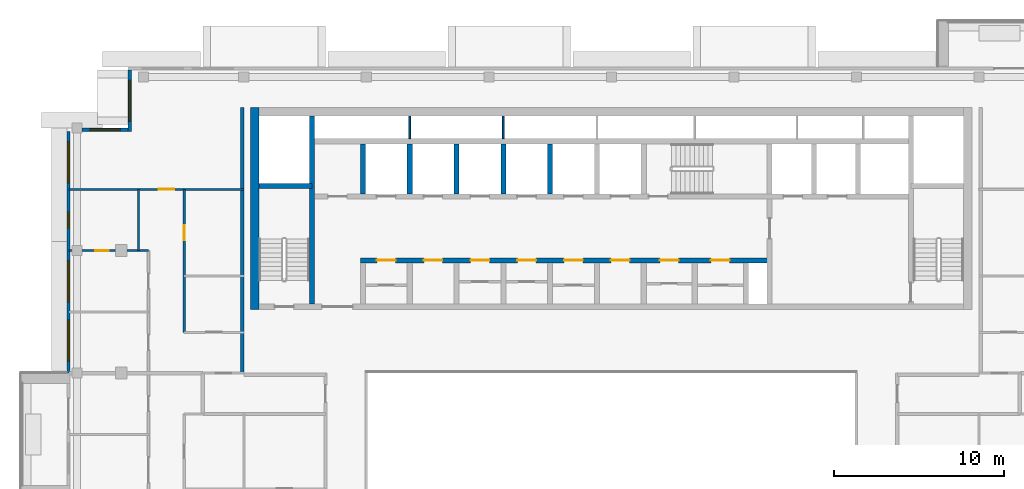
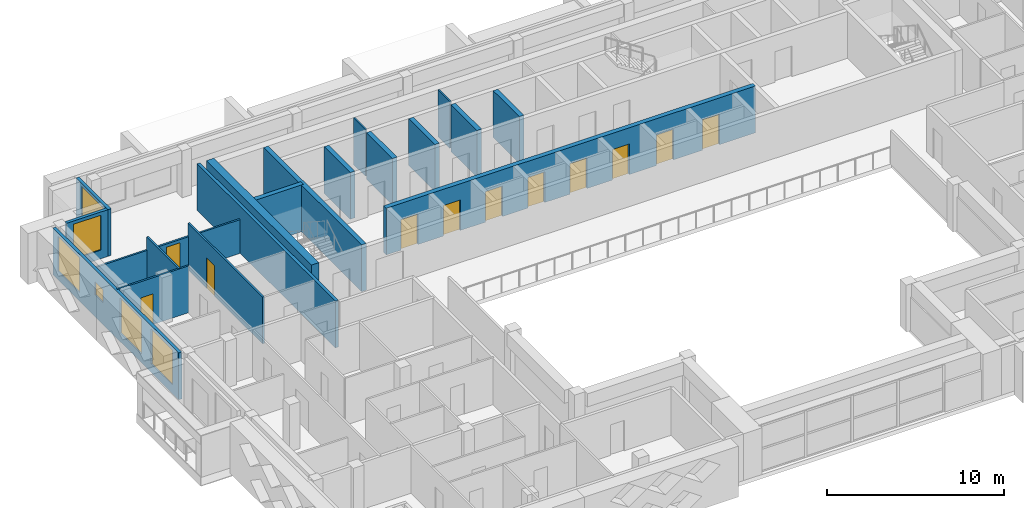
# One storey, part 10 of 19: 19 walls, 11 doors, 6 windows, 17 openings.
"""IFC4 building model written with IfcOpenShell, lengths in metres."""

from ifc_helpers import new_model, si_unit, direction, frame, frame_2d, origin, place, context, subcontext, project, spatial, rectangle, extrude, material, layer, layer_set, type_object, element, fill, save


model = new_model("IFC4")

# Units and contexts
model_context = context("Model", 3, precision=1e-05, world=origin(), true_north=direction((0.0, 1.0)))
body_context = subcontext(model_context, "Body", "Model", "MODEL_VIEW")
ifc_project = project(units=[si_unit("LENGTHUNIT", "METRE"), si_unit("AREAUNIT", "SQUARE_METRE"), si_unit("VOLUMEUNIT", "CUBIC_METRE"), si_unit("PLANEANGLEUNIT", "RADIAN"), si_unit("MASSUNIT", "GRAM", prefix="KILO")], contexts=[model_context])

# Site, building, storey
site_placement = place(None, origin())
site = spatial("IfcSite", under=ifc_project, at=site_placement, CompositionType="ELEMENT")
building_placement = place(site_placement, origin())
building = spatial("IfcBuilding", under=site, at=building_placement, Name="Saffron Iwan Residences", CompositionType="ELEMENT")
storey_placement = place(building_placement, frame((0.0, 0.0, 264.0)))
storey = spatial("IfcBuildingStorey", under=building, at=storey_placement, Name="L71", CompositionType="ELEMENT", Elevation=264.0)

# Wall, opening, window
ifc_material_1 = material(Name="Concrete C40/50", Category="concrete")
ifc_layer_1 = layer(ifc_material_1, 0.199951171875)
ifc_layer_set_1 = layer_set([ifc_layer_1], Name="Concrete C40/50")
wall_type_1 = type_object("IfcWallType", Name="EXTERNAL WALL 200", PredefinedType="SOLIDWALL", material=ifc_layer_set_1)
wall_1_placement = place(storey_placement, frame((22.10009765625, 80.199951171875, 0.0), z_axis=(0.0, 0.0, 1.0), x_axis=(0.0, -1.0, 0.0)))
wall_1 = element("IfcWall", 1, at=wall_1_placement, inside=storey, type_object=wall_type_1, Name="External wall L71 F6.0", PredefinedType="SOLIDWALL", context=body_context, shape_type="SweptSolid", body=[
    extrude(rectangle(XDim=3.599853515625, YDim=0.199951171875, at=frame_2d((1.7998046875, 0.0))), origin(), (0.0, 0.0, 1.0), 3.219970703125),
])
opening_1_placement = place(wall_1_placement, frame((0.60009765625, 0.0, 0.60009765625)))
opening_1 = element("IfcOpeningElement", 2, at=opening_1_placement, cuts=wall_1, Name="Opening W1", PredefinedType="OPENING", context=body_context, shape_type="SweptSolid", body=[
    extrude(rectangle(XDim=2.39990234375, YDim=2.39990234375, at=frame_2d((1.199951171875, 1.199951171875))), frame((0.0, 0.10986328125, 0.0), z_axis=(0.0, -1.0, 0.0), x_axis=(1.0, 0.0, 0.0)), (0.0, 0.0, 1.0), 0.219970703125),
])
ifc_material_2 = material(Name="Clear glass, laminated double glazed", Category="glass")
window_type_1 = type_object("IfcWindowType", Name="WINDOW 2400 x 2400", PartitioningType="DOUBLE_PANEL_VERTICAL", PredefinedType="WINDOW", material=ifc_material_2)
window_1_placement = place(opening_1_placement, origin())
window_1 = element("IfcWindow", 3, at=window_1_placement, inside=storey, type_object=window_type_1, Name="Window L71 F6.0", OverallHeight=2.39990234375, OverallWidth=2.39990234375, PartitioningType="DOUBLE_PANEL_VERTICAL", PredefinedType="WINDOW", context=body_context, shape_type="SweptSolid", body=[
    extrude(rectangle(XDim=2.39990234375, YDim=2.39990234375, at=frame_2d((1.199951171875, 1.199951171875))), frame((0.0, 0.030029296875, 0.0), z_axis=(0.0, -1.0, 0.0), x_axis=(1.0, 0.0, 0.0)), (0.0, 0.0, 1.0), 0.06005859375),
])
fill(opening_1, window_1)

wall_2_placement = place(storey_placement, frame((22.0, 76.699951171875, 0.0), z_axis=(0.0, 0.0, 1.0), x_axis=(-1.0, 0.0, 0.0)))
wall_2 = element("IfcWall", 4, at=wall_2_placement, inside=storey, type_object=wall_type_1, Name="External wall L71 F7.0", PredefinedType="SOLIDWALL", context=body_context, shape_type="SweptSolid", body=[
    extrude(rectangle(XDim=2.699951171875, YDim=0.199951171875, at=frame_2d((1.35009765625, 0.0))), origin(), (0.0, 0.0, 1.0), 3.219970703125),
])
opening_2_placement = place(wall_2_placement, frame((0.449951171875, 0.0, 0.60009765625)))
opening_2 = element("IfcOpeningElement", 5, at=opening_2_placement, cuts=wall_2, Name="Opening W8", PredefinedType="OPENING", context=body_context, shape_type="SweptSolid", body=[
    extrude(rectangle(XDim=1.800048828125, YDim=2.39990234375, at=frame_2d((0.89990234375, 1.199951171875))), frame((0.0, 0.10986328125, 0.0), z_axis=(0.0, -1.0, 0.0), x_axis=(1.0, 0.0, 0.0)), (0.0, 0.0, 1.0), 0.219970703125),
])
window_type_2 = type_object("IfcWindowType", Name="WINDOW 1800 x 2400", PartitioningType="DOUBLE_PANEL_VERTICAL", PredefinedType="WINDOW", material=ifc_material_2)
window_2_placement = place(opening_2_placement, origin())
window_2 = element("IfcWindow", 6, at=window_2_placement, inside=storey, type_object=window_type_2, Name="Window L71 F7.0", OverallHeight=2.39990234375, OverallWidth=1.800048828125, PartitioningType="DOUBLE_PANEL_VERTICAL", PredefinedType="WINDOW", context=body_context, shape_type="SweptSolid", body=[
    extrude(rectangle(XDim=1.800048828125, YDim=2.39990234375, at=frame_2d((0.89990234375, 1.199951171875))), frame((0.0, 0.030029296875, 0.0), z_axis=(0.0, -1.0, 0.0), x_axis=(1.0, 0.0, 0.0)), (0.0, 0.0, 1.0), 0.06005859375),
])
fill(opening_2, window_2)

# Wall, openings, windows
wall_3_placement = place(storey_placement, frame((18.5, 76.60009765625, 0.0), z_axis=(0.0, 0.0, 1.0), x_axis=(0.0, -1.0, 0.0)))
wall_3 = element("IfcWall", 7, at=wall_3_placement, inside=storey, type_object=wall_type_1, Name="External wall L71 F8.0", PredefinedType="SOLIDWALL", context=body_context, shape_type="SweptSolid", body=[
    extrude(rectangle(XDim=14.2001953125, YDim=0.199951171875, at=frame_2d((7.10009765625, 0.0))), origin(), (0.0, 0.0, 1.0), 3.219970703125),
])
opening_3_placement = place(wall_3_placement, frame((11.10009765625, 0.0, 0.60009765625)))
opening_3 = element("IfcOpeningElement", 8, at=opening_3_placement, cuts=wall_3, Name="Opening W1", PredefinedType="OPENING", context=body_context, shape_type="SweptSolid", body=[
    extrude(rectangle(XDim=2.39990234375, YDim=2.39990234375, at=frame_2d((1.199951171875, 1.199951171875))), frame((0.0, 0.10986328125, 0.0), z_axis=(0.0, -1.0, 0.0), x_axis=(1.0, 0.0, 0.0)), (0.0, 0.0, 1.0), 0.219970703125),
])
opening_4_placement = place(wall_3_placement, frame((7.60009765625, 0.0, 0.60009765625)))
opening_4 = element("IfcOpeningElement", 9, at=opening_4_placement, cuts=wall_3, Name="Opening W1", PredefinedType="OPENING", context=body_context, shape_type="SweptSolid", body=[
    extrude(rectangle(XDim=2.39990234375, YDim=2.39990234375, at=frame_2d((1.199951171875, 1.199951171875))), frame((0.0, 0.10986328125, 0.0), z_axis=(0.0, -1.0, 0.0), x_axis=(1.0, 0.0, 0.0)), (0.0, 0.0, 1.0), 0.219970703125),
])
opening_5_placement = place(wall_3_placement, frame((4.75, 0.0, 1.5)))
opening_5 = element("IfcOpeningElement", 10, at=opening_5_placement, cuts=wall_3, Name="Opening W6", PredefinedType="OPENING", context=body_context, shape_type="SweptSolid", body=[
    extrude(rectangle(XDim=0.89990234375, YDim=0.89990234375, at=frame_2d((0.449951171875, 0.449951171875))), frame((0.0, 0.10986328125, 0.0), z_axis=(0.0, -1.0, 0.0), x_axis=(1.0, 0.0, 0.0)), (0.0, 0.0, 1.0), 0.219970703125),
])
opening_6_placement = place(wall_3_placement, frame((0.60009765625, 0.0, 0.60009765625)))
opening_6 = element("IfcOpeningElement", 11, at=opening_6_placement, cuts=wall_3, Name="Opening W1", PredefinedType="OPENING", context=body_context, shape_type="SweptSolid", body=[
    extrude(rectangle(XDim=2.39990234375, YDim=2.39990234375, at=frame_2d((1.199951171875, 1.199951171875))), frame((0.0, 0.10986328125, 0.0), z_axis=(0.0, -1.0, 0.0), x_axis=(1.0, 0.0, 0.0)), (0.0, 0.0, 1.0), 0.219970703125),
])
window_3_placement = place(opening_3_placement, origin())
window_3 = element("IfcWindow", 12, at=window_3_placement, inside=storey, type_object=window_type_1, Name="Window L71 F8.0", OverallHeight=2.39990234375, OverallWidth=2.39990234375, PartitioningType="DOUBLE_PANEL_VERTICAL", PredefinedType="WINDOW", context=body_context, shape_type="SweptSolid", body=[
    extrude(rectangle(XDim=2.39990234375, YDim=2.39990234375, at=frame_2d((1.199951171875, 1.199951171875))), frame((0.0, 0.030029296875, 0.0), z_axis=(0.0, -1.0, 0.0), x_axis=(1.0, 0.0, 0.0)), (0.0, 0.0, 1.0), 0.06005859375),
])
fill(opening_3, window_3)
window_4_placement = place(opening_4_placement, origin())
window_4 = element("IfcWindow", 13, at=window_4_placement, inside=storey, type_object=window_type_1, Name="Window L71 F8.1", OverallHeight=2.39990234375, OverallWidth=2.39990234375, PartitioningType="DOUBLE_PANEL_VERTICAL", PredefinedType="WINDOW", context=body_context, shape_type="SweptSolid", body=[
    extrude(rectangle(XDim=2.39990234375, YDim=2.39990234375, at=frame_2d((1.199951171875, 1.199951171875))), frame((0.0, 0.030029296875, 0.0), z_axis=(0.0, -1.0, 0.0), x_axis=(1.0, 0.0, 0.0)), (0.0, 0.0, 1.0), 0.06005859375),
])
fill(opening_4, window_4)
window_5_placement = place(opening_6_placement, origin())
window_5 = element("IfcWindow", 14, at=window_5_placement, inside=storey, type_object=window_type_1, Name="Window L71 F8.3", OverallHeight=2.39990234375, OverallWidth=2.39990234375, PartitioningType="DOUBLE_PANEL_VERTICAL", PredefinedType="WINDOW", context=body_context, shape_type="SweptSolid", body=[
    extrude(rectangle(XDim=2.39990234375, YDim=2.39990234375, at=frame_2d((1.199951171875, 1.199951171875))), frame((0.0, 0.030029296875, 0.0), z_axis=(0.0, -1.0, 0.0), x_axis=(1.0, 0.0, 0.0)), (0.0, 0.0, 1.0), 0.06005859375),
])
fill(opening_6, window_5)
window_type_3 = type_object("IfcWindowType", Name="WINDOW 900 x 900 BATH", PartitioningType="SINGLE_PANEL", PredefinedType="WINDOW", material=ifc_material_2)
window_6_placement = place(opening_5_placement, origin())
window_6 = element("IfcWindow", 15, at=window_6_placement, inside=storey, type_object=window_type_3, Name="Window L71 F8.2", OverallHeight=0.89990234375, OverallWidth=0.89990234375, PartitioningType="SINGLE_PANEL", PredefinedType="WINDOW", context=body_context, shape_type="SweptSolid", body=[
    extrude(rectangle(XDim=0.89990234375, YDim=0.89990234375, at=frame_2d((0.449951171875, 0.449951171875))), frame((0.0, 0.030029296875, 0.0), z_axis=(0.0, -1.0, 0.0), x_axis=(1.0, 0.0, 0.0)), (0.0, 0.0, 1.0), 0.06005859375),
])
fill(opening_5, window_6)

# Wall, opening, door
ifc_material_3 = material(Name="Gypsum board partition")
ifc_layer_2 = layer(ifc_material_3, 0.1201171875)
ifc_layer_set_2 = layer_set([ifc_layer_2], Name="Gypsum board partition")
wall_type_2 = type_object("IfcWallType", Name="Flat partition 120", PredefinedType="PARTITIONING", material=ifc_layer_set_2)
wall_4_placement = place(storey_placement, frame((18.52490234375, 69.60009765625, 0.0), z_axis=(0.0, 0.0, 1.0), x_axis=(1.0, 0.0, 0.0)))
wall_4 = element("IfcWall", 16, at=wall_4_placement, inside=storey, type_object=wall_type_2, Name="W-L71-PART-h69.6-18.525", PredefinedType="PARTITIONING", context=body_context, shape_type="SweptSolid", body=[
    extrude(rectangle(XDim=4.675048828125, YDim=0.1201171875, at=frame_2d((2.33740234375, 0.0))), origin(), (0.0, 0.0, 1.0), 3.219970703125),
])
opening_7_placement = place(wall_4_placement, frame((1.53759765625, 0.0, 0.0)))
opening_7 = element("IfcOpeningElement", 17, at=opening_7_placement, cuts=wall_4, Name="Opening FD3", PredefinedType="OPENING", context=body_context, shape_type="SweptSolid", body=[
    extrude(rectangle(XDim=0.800048828125, YDim=2.10009765625, at=frame_2d((0.39990234375, 1.050048828125))), frame((0.0, 0.070068359375, 0.0), z_axis=(0.0, -1.0, 0.0), x_axis=(1.0, 0.0, 0.0)), (0.0, 0.0, 1.0), 0.14013671875),
])
ifc_material_4 = material(Name="Timber door", Category="wood")
door_type_1 = type_object("IfcDoorType", Name="Bathroom door 800", OperationType="NOTDEFINED", PredefinedType="DOOR", material=ifc_material_4)
door_1_placement = place(opening_7_placement, origin())
door_1 = element("IfcDoor", 18, at=door_1_placement, inside=storey, type_object=door_type_1, Name="Door L71-029", OperationType="SINGLE_SWING_LEFT", OverallHeight=2.10009765625, OverallWidth=0.800048828125, PredefinedType="DOOR", context=body_context, shape_type="SweptSolid", body=[
    extrude(rectangle(XDim=0.800048828125, YDim=2.10009765625, at=frame_2d((0.39990234375, 1.050048828125))), frame((0.0, 0.02490234375, 0.0), z_axis=(0.0, -1.0, 0.0), x_axis=(1.0, 0.0, 0.0)), (0.0, 0.0, 1.0), 0.050048828125),
])
fill(opening_7, door_1)

wall_5_placement = place(storey_placement, frame((18.52490234375, 73.199951171875, 0.0), z_axis=(0.0, 0.0, 1.0), x_axis=(1.0, 0.0, 0.0)))
wall_5 = element("IfcWall", 19, at=wall_5_placement, inside=storey, type_object=wall_type_2, Name="W-L71-PART-h73.2-18.525", PredefinedType="PARTITIONING", context=body_context, shape_type="SweptSolid", body=[
    extrude(rectangle(XDim=10.275146484375, YDim=0.1201171875, at=frame_2d((5.1376953125, 0.0))), origin(), (0.0, 0.0, 1.0), 2.320068359375),
])
opening_8_placement = place(wall_5_placement, frame((5.27490234375, 0.0, 0.0)))
opening_8 = element("IfcOpeningElement", 20, at=opening_8_placement, cuts=wall_5, Name="Opening FD2", PredefinedType="OPENING", context=body_context, shape_type="SweptSolid", body=[
    extrude(rectangle(XDim=0.89990234375, YDim=2.10009765625, at=frame_2d((0.449951171875, 1.050048828125))), frame((0.0, 0.070068359375, 0.0), z_axis=(0.0, -1.0, 0.0), x_axis=(1.0, 0.0, 0.0)), (0.0, 0.0, 1.0), 0.14013671875),
])
door_type_2 = type_object("IfcDoorType", Name="Flat door 900", OperationType="NOTDEFINED", PredefinedType="DOOR", material=ifc_material_4)
door_2_placement = place(opening_8_placement, origin())
door_2 = element("IfcDoor", 21, at=door_2_placement, inside=storey, type_object=door_type_2, Name="Door L71-030", OperationType="SINGLE_SWING_LEFT", OverallHeight=2.10009765625, OverallWidth=0.89990234375, PredefinedType="DOOR", context=body_context, shape_type="SweptSolid", body=[
    extrude(rectangle(XDim=0.89990234375, YDim=2.10009765625, at=frame_2d((0.449951171875, 1.050048828125))), frame((0.0, 0.02490234375, 0.0), z_axis=(0.0, -1.0, 0.0), x_axis=(1.0, 0.0, 0.0)), (0.0, 0.0, 1.0), 0.050048828125),
])
fill(opening_8, door_2)

# Wall
wall_6_placement = place(storey_placement, frame((22.60009765625, 69.60009765625, 0.0), z_axis=(0.0, 0.0, 1.0), x_axis=(0.0, 1.0, 0.0)))
element("IfcWall", 22, at=wall_6_placement, inside=storey, type_object=wall_type_2, Name="W-L71-PART-v22.6-69.6", PredefinedType="PARTITIONING", context=body_context, shape_type="SweptSolid", body=[
    extrude(rectangle(XDim=3.599853515625, YDim=0.1201171875, at=frame_2d((1.7998046875, 0.0))), origin(), (0.0, 0.0, 1.0), 3.219970703125),
])

# Wall, opening, door
wall_7_placement = place(storey_placement, frame((25.300048828125, 64.800048828125, 0.0), z_axis=(0.0, 0.0, 1.0), x_axis=(0.0, 1.0, 0.0)))
wall_7 = element("IfcWall", 23, at=wall_7_placement, inside=storey, type_object=wall_type_2, Name="W-L71-PART-v25.3-64.8", PredefinedType="PARTITIONING", context=body_context, shape_type="SweptSolid", body=[
    extrude(rectangle(XDim=8.39990234375, YDim=0.1201171875, at=frame_2d((4.199951171875, 0.0))), origin(), (0.0, 0.0, 1.0), 3.219970703125),
])
opening_9_placement = place(wall_7_placement, frame((5.39990234375, 0.0, 0.0)))
opening_9 = element("IfcOpeningElement", 24, at=opening_9_placement, cuts=wall_7, Name="Opening FD2", PredefinedType="OPENING", context=body_context, shape_type="SweptSolid", body=[
    extrude(rectangle(XDim=0.89990234375, YDim=2.10009765625, at=frame_2d((0.449951171875, 1.050048828125))), frame((0.0, 0.070068359375, 0.0), z_axis=(0.0, -1.0, 0.0), x_axis=(1.0, 0.0, 0.0)), (0.0, 0.0, 1.0), 0.14013671875),
])
door_3_placement = place(opening_9_placement, origin())
door_3 = element("IfcDoor", 25, at=door_3_placement, inside=storey, type_object=door_type_2, Name="Door L71-032", OperationType="SINGLE_SWING_RIGHT", OverallHeight=2.10009765625, OverallWidth=0.89990234375, PredefinedType="DOOR", context=body_context, shape_type="SweptSolid", body=[
    extrude(rectangle(XDim=0.89990234375, YDim=2.10009765625, at=frame_2d((0.449951171875, 1.050048828125))), frame((0.0, 0.02490234375, 0.0), z_axis=(0.0, -1.0, 0.0), x_axis=(1.0, 0.0, 0.0)), (0.0, 0.0, 1.0), 0.050048828125),
])
fill(opening_9, door_3)

# Walls
ifc_material_5 = material(Name="Fire-rated gypsum board wall")
ifc_layer_3 = layer(ifc_material_5, 0.199951171875)
ifc_layer_set_3 = layer_set([ifc_layer_3], Name="Fire-rated gypsum board wall")
wall_type_3 = type_object("IfcWallType", Name="Gallery wall 200", PredefinedType="SOLIDWALL", material=ifc_layer_set_3)
wall_8_placement = place(storey_placement, frame((28.699951171875, 62.39990234375, 0.0), z_axis=(0.0, 0.0, 1.0), x_axis=(0.0, 1.0, 0.0)))
element("IfcWall", 26, at=wall_8_placement, inside=storey, type_object=wall_type_3, Name="W-L71-CORR-v28.8-62.4", PredefinedType="SOLIDWALL", context=body_context, shape_type="SweptSolid", body=[
    extrude(rectangle(XDim=15.60009765625, YDim=0.199951171875, at=frame_2d((7.800048828125, 0.0))), origin(), (0.0, 0.0, 1.0), 3.219970703125),
])
ifc_material_6 = material(Name="Fire-rated plasterboard partition")
ifc_layer_4 = layer(ifc_material_6, 0.10009765625)
ifc_layer_set_4 = layer_set([ifc_layer_4], Name="Fire-rated plasterboard partition")
wall_type_4 = type_object("IfcWallType", Name="Riser partition 100", PredefinedType="PARTITIONING", material=ifc_layer_set_4)
for number, where, z_axis, x_axis, name in (
    (27, (38.550048828125, 76.175048828125, 0.0), (0.0, 0.0, 1.0), (0.0, 1.0, 0.0), "Core partition P07"),
    (28, (44.050048828125, 76.175048828125, 0.0), (0.0, 0.0, 1.0), (0.0, 1.0, 0.0), "Core partition P08"),
):
    element("IfcWall", number, at=place(storey_placement, frame(where, z_axis=z_axis, x_axis=x_axis)), inside=storey, type_object=wall_type_4, Name=name, PredefinedType="PARTITIONING", context=body_context, shape_type="SweptSolid", body=[
        extrude(rectangle(XDim=1.324951171875, YDim=0.10009765625, at=frame_2d((0.66259765625, 0.0))), origin(), (0.0, 0.0, 1.0), 3.219970703125),
    ])

# Wall, openings, doors
ifc_layer_5 = layer(ifc_material_1, 0.300048828125)
ifc_layer_set_5 = layer_set([ifc_layer_5], Name="Concrete C40/50")
wall_type_5 = type_object("IfcWallType", Name="WALL CORE 300 C40/50 3220 HIGH", PredefinedType="SHEAR", material=ifc_layer_set_5)
wall_9_placement = place(storey_placement, frame((35.64990234375, 69.02490234375, 0.0), z_axis=(0.0, 0.0, 1.0), x_axis=(1.0, 0.0, 0.0)))
wall_9 = element("IfcWall", 29, at=wall_9_placement, inside=storey, type_object=wall_type_5, Name="Core wall", PredefinedType="SHEAR", context=body_context, shape_type="SweptSolid", body=[
    extrude(rectangle(XDim=24.050048828125, YDim=0.300048828125, at=frame_2d((12.02490234375, 0.0))), origin(), (0.0, 0.0, 1.0), 3.219970703125),
])
opening_10_placement = place(wall_9_placement, frame((0.97509765625, 0.0, 0.0)))
opening_10 = element("IfcOpeningElement", 30, at=opening_10_placement, cuts=wall_9, Name="Opening SR", PredefinedType="OPENING", context=body_context, shape_type="SweptSolid", body=[
    extrude(rectangle(XDim=1.10009765625, YDim=2.10009765625, at=frame_2d((0.550048828125, 1.050048828125))), frame((0.0, 0.16015625, 0.0), z_axis=(0.0, -1.0, 0.0), x_axis=(1.0, 0.0, 0.0)), (0.0, 0.0, 1.0), 0.320068359375),
])
opening_11_placement = place(wall_9_placement, frame((3.72509765625, 0.0, 0.0)))
opening_11 = element("IfcOpeningElement", 31, at=opening_11_placement, cuts=wall_9, Name="Opening SR", PredefinedType="OPENING", context=body_context, shape_type="SweptSolid", body=[
    extrude(rectangle(XDim=1.10009765625, YDim=2.10009765625, at=frame_2d((0.550048828125, 1.050048828125))), frame((0.0, 0.16015625, 0.0), z_axis=(0.0, -1.0, 0.0), x_axis=(1.0, 0.0, 0.0)), (0.0, 0.0, 1.0), 0.320068359375),
])
opening_12_placement = place(wall_9_placement, frame((6.47509765625, 0.0, 0.0)))
opening_12 = element("IfcOpeningElement", 32, at=opening_12_placement, cuts=wall_9, Name="Opening SR", PredefinedType="OPENING", context=body_context, shape_type="SweptSolid", body=[
    extrude(rectangle(XDim=1.10009765625, YDim=2.10009765625, at=frame_2d((0.550048828125, 1.050048828125))), frame((0.0, 0.16015625, 0.0), z_axis=(0.0, -1.0, 0.0), x_axis=(1.0, 0.0, 0.0)), (0.0, 0.0, 1.0), 0.320068359375),
])
opening_13_placement = place(wall_9_placement, frame((9.22509765625, 0.0, 0.0)))
opening_13 = element("IfcOpeningElement", 33, at=opening_13_placement, cuts=wall_9, Name="Opening SR", PredefinedType="OPENING", context=body_context, shape_type="SweptSolid", body=[
    extrude(rectangle(XDim=1.10009765625, YDim=2.10009765625, at=frame_2d((0.550048828125, 1.050048828125))), frame((0.0, 0.16015625, 0.0), z_axis=(0.0, -1.0, 0.0), x_axis=(1.0, 0.0, 0.0)), (0.0, 0.0, 1.0), 0.320068359375),
])
opening_14_placement = place(wall_9_placement, frame((11.97509765625, 0.0, 0.0)))
opening_14 = element("IfcOpeningElement", 34, at=opening_14_placement, cuts=wall_9, Name="Opening SR", PredefinedType="OPENING", context=body_context, shape_type="SweptSolid", body=[
    extrude(rectangle(XDim=1.10009765625, YDim=2.10009765625, at=frame_2d((0.550048828125, 1.050048828125))), frame((0.0, 0.16015625, 0.0), z_axis=(0.0, -1.0, 0.0), x_axis=(1.0, 0.0, 0.0)), (0.0, 0.0, 1.0), 0.320068359375),
])
opening_15_placement = place(wall_9_placement, frame((14.72509765625, 0.0, 0.0)))
opening_15 = element("IfcOpeningElement", 35, at=opening_15_placement, cuts=wall_9, Name="Opening SR", PredefinedType="OPENING", context=body_context, shape_type="SweptSolid", body=[
    extrude(rectangle(XDim=1.10009765625, YDim=2.10009765625, at=frame_2d((0.550048828125, 1.050048828125))), frame((0.0, 0.16015625, 0.0), z_axis=(0.0, -1.0, 0.0), x_axis=(1.0, 0.0, 0.0)), (0.0, 0.0, 1.0), 0.320068359375),
])
opening_16_placement = place(wall_9_placement, frame((17.60009765625, 0.0, 0.0)))
opening_16 = element("IfcOpeningElement", 36, at=opening_16_placement, cuts=wall_9, Name="Opening SR", PredefinedType="OPENING", context=body_context, shape_type="SweptSolid", body=[
    extrude(rectangle(XDim=1.10009765625, YDim=2.10009765625, at=frame_2d((0.550048828125, 1.050048828125))), frame((0.0, 0.16015625, 0.0), z_axis=(0.0, -1.0, 0.0), x_axis=(1.0, 0.0, 0.0)), (0.0, 0.0, 1.0), 0.320068359375),
])
opening_17_placement = place(wall_9_placement, frame((20.60009765625, 0.0, 0.0)))
opening_17 = element("IfcOpeningElement", 37, at=opening_17_placement, cuts=wall_9, Name="Opening SR", PredefinedType="OPENING", context=body_context, shape_type="SweptSolid", body=[
    extrude(rectangle(XDim=1.10009765625, YDim=2.10009765625, at=frame_2d((0.550048828125, 1.050048828125))), frame((0.0, 0.16015625, 0.0), z_axis=(0.0, -1.0, 0.0), x_axis=(1.0, 0.0, 0.0)), (0.0, 0.0, 1.0), 0.320068359375),
])
ifc_material_7 = material(Name="Steel fire door", Category="steel")
door_type_3 = type_object("IfcDoorType", Name="Service door 1100", OperationType="NOTDEFINED", PredefinedType="DOOR", material=ifc_material_7)
door_4_placement = place(opening_10_placement, origin())
door_4 = element("IfcDoor", 38, at=door_4_placement, inside=storey, type_object=door_type_3, Name="Door Linen store", OperationType="SINGLE_SWING_RIGHT", OverallHeight=2.10009765625, OverallWidth=1.10009765625, PredefinedType="DOOR", context=body_context, shape_type="SweptSolid", body=[
    extrude(rectangle(XDim=1.10009765625, YDim=2.10009765625, at=frame_2d((0.550048828125, 1.050048828125))), frame((0.0, 0.02490234375, 0.0), z_axis=(0.0, -1.0, 0.0), x_axis=(1.0, 0.0, 0.0)), (0.0, 0.0, 1.0), 0.050048828125),
])
fill(opening_10, door_4)
door_5_placement = place(opening_11_placement, origin())
door_5 = element("IfcDoor", 39, at=door_5_placement, inside=storey, type_object=door_type_3, Name="Door Pantry", OperationType="SINGLE_SWING_LEFT", OverallHeight=2.10009765625, OverallWidth=1.10009765625, PredefinedType="DOOR", context=body_context, shape_type="SweptSolid", body=[
    extrude(rectangle(XDim=1.10009765625, YDim=2.10009765625, at=frame_2d((0.550048828125, 1.050048828125))), frame((0.0, 0.02490234375, 0.0), z_axis=(0.0, -1.0, 0.0), x_axis=(1.0, 0.0, 0.0)), (0.0, 0.0, 1.0), 0.050048828125),
])
fill(opening_11, door_5)
door_6_placement = place(opening_12_placement, origin())
door_6 = element("IfcDoor", 40, at=door_6_placement, inside=storey, type_object=door_type_3, Name="Door Electrical room", OperationType="SINGLE_SWING_RIGHT", OverallHeight=2.10009765625, OverallWidth=1.10009765625, PredefinedType="DOOR", context=body_context, shape_type="SweptSolid", body=[
    extrude(rectangle(XDim=1.10009765625, YDim=2.10009765625, at=frame_2d((0.550048828125, 1.050048828125))), frame((0.0, 0.02490234375, 0.0), z_axis=(0.0, -1.0, 0.0), x_axis=(1.0, 0.0, 0.0)), (0.0, 0.0, 1.0), 0.050048828125),
])
fill(opening_12, door_6)
door_7_placement = place(opening_13_placement, origin())
door_7 = element("IfcDoor", 41, at=door_7_placement, inside=storey, type_object=door_type_3, Name="Door Luggage store", OperationType="SINGLE_SWING_LEFT", OverallHeight=2.10009765625, OverallWidth=1.10009765625, PredefinedType="DOOR", context=body_context, shape_type="SweptSolid", body=[
    extrude(rectangle(XDim=1.10009765625, YDim=2.10009765625, at=frame_2d((0.550048828125, 1.050048828125))), frame((0.0, 0.02490234375, 0.0), z_axis=(0.0, -1.0, 0.0), x_axis=(1.0, 0.0, 0.0)), (0.0, 0.0, 1.0), 0.050048828125),
])
fill(opening_13, door_7)
door_8_placement = place(opening_14_placement, origin())
door_8 = element("IfcDoor", 42, at=door_8_placement, inside=storey, type_object=door_type_3, Name="Door Refuse store", OperationType="SINGLE_SWING_RIGHT", OverallHeight=2.10009765625, OverallWidth=1.10009765625, PredefinedType="DOOR", context=body_context, shape_type="SweptSolid", body=[
    extrude(rectangle(XDim=1.10009765625, YDim=2.10009765625, at=frame_2d((0.550048828125, 1.050048828125))), frame((0.0, 0.02490234375, 0.0), z_axis=(0.0, -1.0, 0.0), x_axis=(1.0, 0.0, 0.0)), (0.0, 0.0, 1.0), 0.050048828125),
])
fill(opening_14, door_8)
door_9_placement = place(opening_15_placement, origin())
door_9 = element("IfcDoor", 43, at=door_9_placement, inside=storey, type_object=door_type_3, Name="Door Maintenance store", OperationType="SINGLE_SWING_LEFT", OverallHeight=2.10009765625, OverallWidth=1.10009765625, PredefinedType="DOOR", context=body_context, shape_type="SweptSolid", body=[
    extrude(rectangle(XDim=1.10009765625, YDim=2.10009765625, at=frame_2d((0.550048828125, 1.050048828125))), frame((0.0, 0.02490234375, 0.0), z_axis=(0.0, -1.0, 0.0), x_axis=(1.0, 0.0, 0.0)), (0.0, 0.0, 1.0), 0.050048828125),
])
fill(opening_15, door_9)
door_10_placement = place(opening_16_placement, origin())
door_10 = element("IfcDoor", 44, at=door_10_placement, inside=storey, type_object=door_type_3, Name="Door Cleaner's store", OperationType="SINGLE_SWING_RIGHT", OverallHeight=2.10009765625, OverallWidth=1.10009765625, PredefinedType="DOOR", context=body_context, shape_type="SweptSolid", body=[
    extrude(rectangle(XDim=1.10009765625, YDim=2.10009765625, at=frame_2d((0.550048828125, 1.050048828125))), frame((0.0, 0.02490234375, 0.0), z_axis=(0.0, -1.0, 0.0), x_axis=(1.0, 0.0, 0.0)), (0.0, 0.0, 1.0), 0.050048828125),
])
fill(opening_16, door_10)
door_11_placement = place(opening_17_placement, origin())
door_11 = element("IfcDoor", 45, at=door_11_placement, inside=storey, type_object=door_type_3, Name="Door Trolley store", OperationType="SINGLE_SWING_RIGHT", OverallHeight=2.10009765625, OverallWidth=1.10009765625, PredefinedType="DOOR", context=body_context, shape_type="SweptSolid", body=[
    extrude(rectangle(XDim=1.10009765625, YDim=2.10009765625, at=frame_2d((0.550048828125, 1.050048828125))), frame((0.0, 0.02490234375, 0.0), z_axis=(0.0, -1.0, 0.0), x_axis=(1.0, 0.0, 0.0)), (0.0, 0.0, 1.0), 0.050048828125),
])
fill(opening_17, door_11)

# Walls
wall_10_placement = place(storey_placement, frame((29.699951171875, 73.39990234375, 0.0), z_axis=(0.0, 0.0, 1.0), x_axis=(1.0, 0.0, 0.0)))
element("IfcWall", 46, at=wall_10_placement, inside=storey, type_object=wall_type_5, Name="Core wall", PredefinedType="SHEAR", context=body_context, shape_type="SweptSolid", body=[
    extrude(rectangle(XDim=3.10009765625, YDim=0.300048828125, at=frame_2d((1.550048828125, 0.0))), origin(), (0.0, 0.0, 1.0), 3.219970703125),
])
wall_11_placement = place(storey_placement, frame((32.800048828125, 66.449951171875, 0.0), z_axis=(0.0, 0.0, 1.0), x_axis=(0.0, 1.0, 0.0)))
element("IfcWall", 47, at=wall_11_placement, inside=storey, type_object=wall_type_5, Name="Core wall", PredefinedType="SHEAR", context=body_context, shape_type="SweptSolid", body=[
    extrude(rectangle(XDim=11.050048828125, YDim=0.300048828125, at=frame_2d((5.52490234375, 0.0))), origin(), (0.0, 0.0, 1.0), 3.219970703125),
])
for number, where, z_axis, x_axis, name in (
    (48, (35.800048828125, 72.925048828125, 0.0), (0.0, 0.0, 1.0), (0.0, 1.0, 0.0), "Core wall"),
    (49, (38.550048828125, 72.925048828125, 0.0), (0.0, 0.0, 1.0), (0.0, 1.0, 0.0), "Core wall"),
    (50, (41.300048828125, 72.925048828125, 0.0), (0.0, 0.0, 1.0), (0.0, 1.0, 0.0), "Core wall"),
    (51, (44.050048828125, 72.925048828125, 0.0), (0.0, 0.0, 1.0), (0.0, 1.0, 0.0), "Core wall"),
    (52, (46.800048828125, 72.925048828125, 0.0), (0.0, 0.0, 1.0), (0.0, 1.0, 0.0), "Core wall"),
):
    element("IfcWall", number, at=place(storey_placement, frame(where, z_axis=z_axis, x_axis=x_axis)), inside=storey, type_object=wall_type_5, Name=name, PredefinedType="SHEAR", context=body_context, shape_type="SweptSolid", body=[
        extrude(rectangle(XDim=2.949951171875, YDim=0.300048828125, at=frame_2d((1.47509765625, 0.0))), origin(), (0.0, 0.0, 1.0), 3.219970703125),
    ])
ifc_layer_6 = layer(ifc_material_1, 0.5)
ifc_layer_set_6 = layer_set([ifc_layer_6], Name="Concrete C40/50")
wall_type_6 = type_object("IfcWallType", Name="WALL CORE 500 C40/50 3220 HIGH", PredefinedType="SHEAR", material=ifc_layer_set_6)
wall_12_placement = place(storey_placement, frame((29.449951171875, 66.14990234375, 0.0), z_axis=(0.0, 0.0, 1.0), x_axis=(0.0, 1.0, 0.0)))
element("IfcWall", 53, at=wall_12_placement, inside=storey, type_object=wall_type_6, Name="Core wall", PredefinedType="SHEAR", context=body_context, shape_type="SweptSolid", body=[
    extrude(rectangle(XDim=11.85009765625, YDim=0.5, at=frame_2d((5.925048828125, 0.0))), origin(), (0.0, 0.0, 1.0), 3.219970703125),
])

save(model, "model.ifc")
